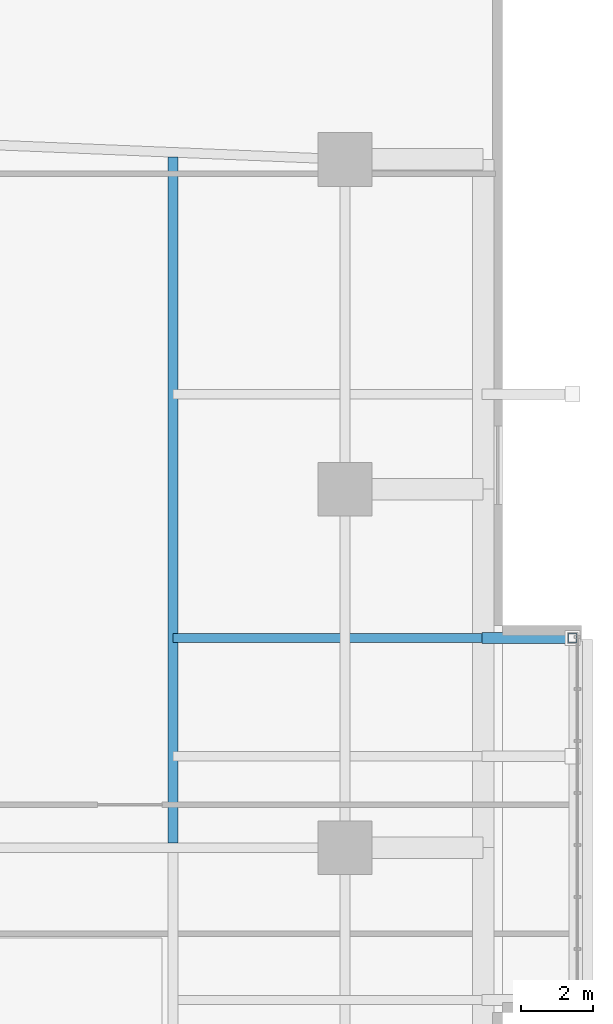
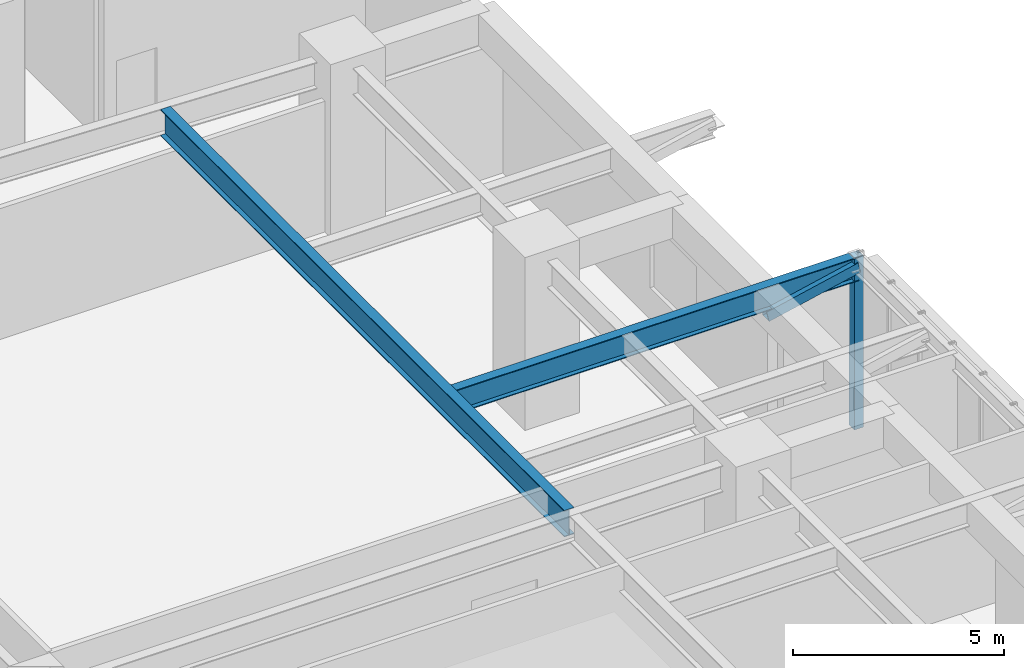
# One storey, part 11 of 23: 2 beams, 2 members.
"""IFC4 building model written with IfcOpenShell, lengths in metres."""

from ifc_helpers import new_model, si_unit, direction, frame, origin, origin_2d, place, context, subcontext, project, spatial, hollow_rectangle, i_section, extrude, material, material_profile, profile_set, type_object, element, save


model = new_model("IFC4")

# Units and contexts
model_context = context("Model", 3, precision=1e-05, world=origin(), true_north=direction((0.0, 1.0)))
body_context = subcontext(model_context, "Body", "Model", "MODEL_VIEW")
ifc_project = project(units=[si_unit("LENGTHUNIT", "METRE"), si_unit("AREAUNIT", "SQUARE_METRE"), si_unit("VOLUMEUNIT", "CUBIC_METRE"), si_unit("PLANEANGLEUNIT", "RADIAN"), si_unit("MASSUNIT", "GRAM", prefix="KILO")], contexts=[model_context])

# Site, building, storey
site_placement = place(None, origin())
site = spatial("IfcSite", under=ifc_project, at=site_placement, CompositionType="ELEMENT")
building_placement = place(site_placement, origin())
building = spatial("IfcBuilding", under=site, at=building_placement, Name="Zulverin Broadcast Headquarters", CompositionType="ELEMENT")
storey_placement = place(building_placement, frame((0.0, 0.0, 10.0)))
storey = spatial("IfcBuildingStorey", under=building, at=storey_placement, Name="L02", CompositionType="ELEMENT", Elevation=10.0)

# Beams
ifc_material = material(Name="Structural steel S355JR", Category="steel")
ifc_material_profile_1 = material_profile(ifc_material, i_section(OverallWidth=0.255859375, OverallDepth=0.69287109375, WebThickness=0.014404296875, FlangeThickness=0.023681640625, at=origin_2d()), Name="Structural steel S355JR", Category="steel")
ifc_profile_set_1 = profile_set([ifc_material_profile_1], Name="Structural steel S355JR")
beam_type_1 = type_object("IfcBeamType", Name="BM-UB-686", PredefinedType="BEAM", material=ifc_profile_set_1)
beam_1_placement = place(storey_placement, frame((64.800048828125, 21.050048828125, 4.33349609375), z_axis=(1.0, 0.0, 0.0), x_axis=(0.0, 1.0, 0.0)))
element("IfcBeam", 1, at=beam_1_placement, inside=storey, type_object=beam_type_1, Name="L02 Studio Box Cantilever Girder SBOX_POD_LOWER_E1-2", PredefinedType="BEAM", context=body_context, shape_type="SweptSolid", body=[
    extrude(i_section(OverallWidth=0.255859375, OverallDepth=0.69287109375, WebThickness=0.014404296875, FlangeThickness=0.023681640625, at=origin_2d()), origin(), (0.0, 0.0, 1.0), 11.14990234375),
])
ifc_material_profile_2 = material_profile(ifc_material, i_section(OverallWidth=0.26806640625, OverallDepth=0.769775390625, WebThickness=0.015625, FlangeThickness=0.025390625, at=origin_2d()), Name="Structural steel S355JR", Category="steel")
ifc_profile_set_2 = profile_set([ifc_material_profile_2], Name="Structural steel S355JR")
beam_type_2 = type_object("IfcBeamType", Name="BM-UB-762", PredefinedType="BEAM", material=ifc_profile_set_2)
beam_2_placement = place(storey_placement, frame((64.800048828125, 15.333984375, 4.295166015625), z_axis=(0.0, 1.0, 0.0), x_axis=(-1.0, 0.0, 0.0)))
element("IfcBeam", 2, at=beam_2_placement, inside=storey, type_object=beam_type_2, Name="L02 East Back-Span Anchor Beam ESBA-2", PredefinedType="BEAM", context=body_context, shape_type="SweptSolid", body=[
    extrude(i_section(OverallWidth=0.26806640625, OverallDepth=0.769775390625, WebThickness=0.015625, FlangeThickness=0.025390625, at=origin_2d()), origin(), (0.0, 0.0, 1.0), 19.1298828125),
])

# Members
ifc_material_profile_3 = material_profile(ifc_material, hollow_rectangle(XDim=0.300048828125, YDim=0.300048828125, WallThickness=0.01611328125, at=origin_2d()), Name="Structural steel S355JR", Category="steel")
ifc_profile_set_3 = profile_set([ifc_material_profile_3], Name="Structural steel S355JR")
member_type_1 = type_object("IfcMemberType", Name="MBR-BLT-DIAG1", PredefinedType="BRACE", material=ifc_profile_set_3)
member_1_placement = place(storey_placement, frame((73.449951171875, 21.050048828125, 3.830078125), z_axis=(0.976660475394, 0.0, 0.214789002987), x_axis=(0.0, 1.0, 0.0)))
element("IfcMember", 3, at=member_1_placement, inside=storey, type_object=member_type_1, Name="L02 Studio Box Raking Knee Brace SBOX_POD_LOWER_E1-2", PredefinedType="BRACE", context=body_context, shape_type="SweptSolid", body=[
    extrude(hollow_rectangle(XDim=0.300048828125, YDim=0.300048828125, WallThickness=0.01611328125, at=origin_2d()), origin(), (0.0, 0.0, 1.0), 2.559814453125),
])
ifc_material_profile_4 = material_profile(ifc_material, hollow_rectangle(XDim=0.25, YDim=0.25, WallThickness=0.01611328125, at=origin_2d()), Name="Structural steel S355JR", Category="steel")
ifc_profile_set_4 = profile_set([ifc_material_profile_4], Name="Structural steel S355JR")
member_type_2 = type_object("IfcMemberType", Name="MBR-BLT-POST", PredefinedType="POST", material=ifc_profile_set_4)
member_2_placement = place(storey_placement, frame((75.949951171875, 21.050048828125, -0.2900390625), z_axis=(0.0, 0.0, 1.0), x_axis=(1.0, 0.0, 0.0)))
element("IfcMember", 4, at=member_2_placement, inside=storey, type_object=member_type_2, Name="L02 Shifted Studio Box Frame Post SBOX_POD_LOWER_E1-2", PredefinedType="POST", context=body_context, shape_type="SweptSolid", body=[
    extrude(hollow_rectangle(XDim=0.25, YDim=0.25, WallThickness=0.01611328125, at=origin_2d()), origin(), (0.0, 0.0, 1.0), 4.969970703125),
])

save(model, "model.ifc")
